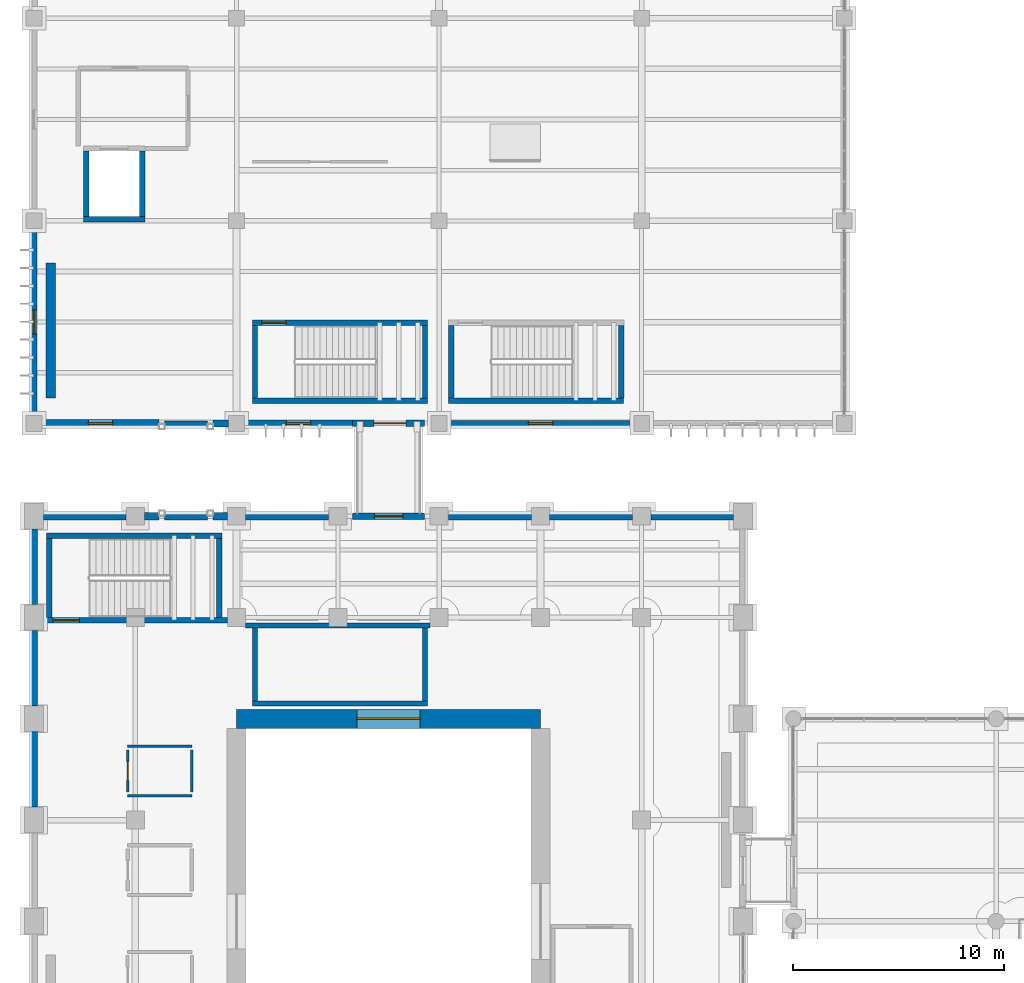
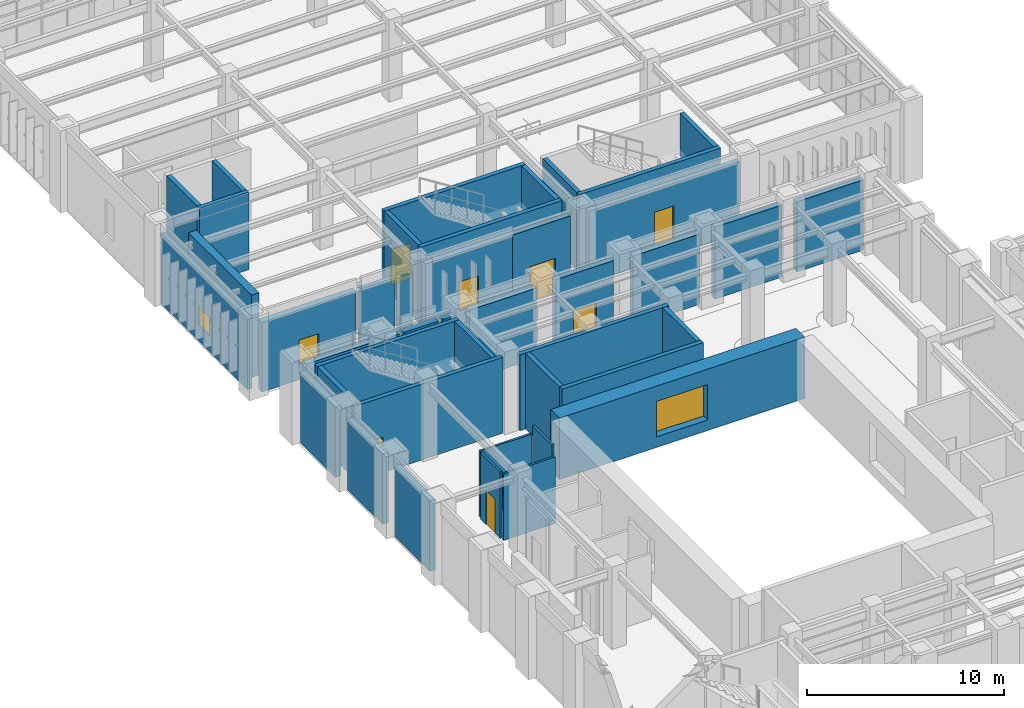
# One storey, part 144 of 174: 43 walls, 5 doors, 5 windows, 10 openings.
"""IFC4 building model written with IfcOpenShell, lengths in metres."""

from ifc_helpers import new_model, si_unit, direction, frame, frame_2d, origin, place, context, subcontext, project, spatial, rectangle, extrude, material, layer, layer_set, type_object, element, fill, save


model = new_model("IFC4")

# Units and contexts
model_context = context("Model", 3, precision=1e-05, world=origin(), true_north=direction((0.0, 1.0)))
body_context = subcontext(model_context, "Body", "Model", "MODEL_VIEW")
ifc_project = project(units=[si_unit("LENGTHUNIT", "METRE"), si_unit("AREAUNIT", "SQUARE_METRE"), si_unit("VOLUMEUNIT", "CUBIC_METRE"), si_unit("PLANEANGLEUNIT", "RADIAN"), si_unit("MASSUNIT", "GRAM", prefix="KILO")], contexts=[model_context])

# Site, building, storey
site_placement = place(None, origin())
site = spatial("IfcSite", under=ifc_project, at=site_placement, CompositionType="ELEMENT")
building_placement = place(site_placement, origin())
building = spatial("IfcBuilding", under=site, at=building_placement, Name="Mavantir Sound Aquarium", CompositionType="ELEMENT")
storey_placement = place(building_placement, frame((0.0, 0.0, 5.39990234375)))
storey = spatial("IfcBuildingStorey", under=building, at=storey_placement, Name="L01", CompositionType="ELEMENT", Elevation=5.39990234375)

# Wall, opening, door
ifc_material_1 = material(Name="Coral-Buff Architectural Precast Concrete C40/50", Category="concrete")
ifc_layer_1 = layer(ifc_material_1, 0.31005859375, Name="Coral-Buff Architectural Precast Concrete C40/50")
ifc_layer_set_1 = layer_set([ifc_layer_1], Name="Coral-Buff Architectural Precast Concrete C40/50")
wall_type_1 = type_object("IfcWallType", Name="EW-CORAL-310", PredefinedType="SOLIDWALL", material=ifc_layer_set_1)
wall_1_placement = place(storey_placement, frame((18.5, 79.199951171875, 0.0), z_axis=(0.0, 0.0, 1.0), x_axis=(-1.0, 0.0, 0.0)))
wall_1 = element("IfcWall", 1, at=wall_1_placement, inside=storey, type_object=wall_type_1, Name="L01 bridge portal wall 5", PredefinedType="SOLIDWALL", context=body_context, shape_type="SweptSolid", body=[
    extrude(rectangle(XDim=3.39990234375, YDim=0.31005859375, at=frame_2d((1.699951171875, 0.0))), origin(), (0.0, 0.0, 1.0), 4.463134765625),
])
opening_1_placement = place(wall_1_placement, frame((2.3701171875, 0.0, 0.0), z_axis=(0.0, 0.0, 1.0), x_axis=(-1.0, 0.0, 0.0)))
opening_1 = element("IfcOpeningElement", 2, at=opening_1_placement, cuts=wall_1, Name="Opening ETD-02", PredefinedType="OPENING", context=body_context, shape_type="SweptSolid", body=[
    extrude(rectangle(XDim=1.35009765625, YDim=2.199951171875, at=frame_2d((0.675048828125, 1.10009765625))), frame((0.0, 0.1650390625, 0.0), z_axis=(0.0, -1.0, 0.0), x_axis=(1.0, 0.0, 0.0)), (0.0, 0.0, 1.0), 0.330078125),
])
ifc_material_2 = material(Name="Marine-Grade Anodised Aluminium and Laminated Glass", Category="aluminium")
door_type_1 = type_object("IfcDoorType", Name="DR-TER-135", OperationType="NOTDEFINED", PredefinedType="DOOR", material=ifc_material_2)
door_1_placement = place(opening_1_placement, origin())
door_1 = element("IfcDoor", 3, at=door_1_placement, inside=storey, type_object=door_type_1, Name="L01 bridge access door 5", OperationType="SINGLE_SWING_RIGHT", OverallHeight=2.199951171875, OverallWidth=1.35009765625, PredefinedType="DOOR", context=body_context, shape_type="SweptSolid", body=[
    extrude(rectangle(XDim=1.35009765625, YDim=2.199951171875, at=frame_2d((0.675048828125, 1.10009765625))), frame((0.0, 0.02490234375, 0.0), z_axis=(0.0, -1.0, 0.0), x_axis=(1.0, 0.0, 0.0)), (0.0, 0.0, 1.0), 0.050048828125),
])
fill(opening_1, door_1)

wall_2_placement = place(storey_placement, frame((15.10009765625, 83.60009765625, 0.0), z_axis=(0.0, 0.0, 1.0), x_axis=(1.0, 0.0, 0.0)))
wall_2 = element("IfcWall", 4, at=wall_2_placement, inside=storey, type_object=wall_type_1, Name="L01 bridge portal wall 6", PredefinedType="SOLIDWALL", context=body_context, shape_type="SweptSolid", body=[
    extrude(rectangle(XDim=3.39990234375, YDim=0.31005859375, at=frame_2d((1.699951171875, 0.0))), origin(), (0.0, 0.0, 1.0), 4.56298828125),
])
opening_2_placement = place(wall_2_placement, frame((2.52001953125, 0.0, 0.0), z_axis=(0.0, 0.0, 1.0), x_axis=(-1.0, 0.0, 0.0)))
opening_2 = element("IfcOpeningElement", 5, at=opening_2_placement, cuts=wall_2, Name="Opening ETD-01", PredefinedType="OPENING", context=body_context, shape_type="SweptSolid", body=[
    extrude(rectangle(XDim=1.5, YDim=2.25, at=frame_2d((0.75, 1.125))), frame((0.0, 0.1650390625, 0.0), z_axis=(0.0, -1.0, 0.0), x_axis=(1.0, 0.0, 0.0)), (0.0, 0.0, 1.0), 0.330078125),
])
door_type_2 = type_object("IfcDoorType", Name="DR-TER-150", OperationType="NOTDEFINED", PredefinedType="DOOR", material=ifc_material_2)
door_2_placement = place(opening_2_placement, origin())
door_2 = element("IfcDoor", 6, at=door_2_placement, inside=storey, type_object=door_type_2, Name="L01 bridge access door 6", OperationType="SINGLE_SWING_LEFT", OverallHeight=2.25, OverallWidth=1.5, PredefinedType="DOOR", context=body_context, shape_type="SweptSolid", body=[
    extrude(rectangle(XDim=1.5, YDim=2.25, at=frame_2d((0.75, 1.125))), frame((0.0, 0.02490234375, 0.0), z_axis=(0.0, -1.0, 0.0), x_axis=(1.0, 0.0, 0.0)), (0.0, 0.0, 1.0), 0.050048828125),
])
fill(opening_2, door_2)

# Wall, opening, window
wall_3_placement = place(storey_placement, frame((9.98291015625, 83.60009765625, 0.0), z_axis=(0.0, 0.0, 1.0), x_axis=(1.0, 0.0, 0.0)))
wall_3 = element("IfcWall", 7, at=wall_3_placement, inside=storey, type_object=wall_type_1, Name="L01 exterior facade wall EW-02 176", PredefinedType="SOLIDWALL", context=body_context, shape_type="SweptSolid", body=[
    extrude(rectangle(XDim=5.112060546875, YDim=0.31005859375, at=frame_2d((2.55615234375, 0.0))), origin(), (0.0, 0.0, 1.0), 4.56298828125),
])
opening_3_placement = place(wall_3_placement, frame((1.98095703125, 0.0, 0.949951171875)))
opening_3 = element("IfcOpeningElement", 8, at=opening_3_placement, cuts=wall_3, Name="Opening W-07", PredefinedType="OPENING", context=body_context, shape_type="SweptSolid", body=[
    extrude(rectangle(XDim=1.14990234375, YDim=1.800048828125, at=frame_2d((0.574951171875, 0.89990234375))), frame((0.0, 0.1650390625, 0.0), z_axis=(0.0, -1.0, 0.0), x_axis=(1.0, 0.0, 0.0)), (0.0, 0.0, 1.0), 0.330078125),
])
ifc_material_3 = material(Name="Thermally Broken Aluminium and Low-E Glass", Category="aluminium")
window_type_1 = type_object("IfcWindowType", Name="WIN-EXT-07", PartitioningType="SINGLE_PANEL", PredefinedType="WINDOW", material=ifc_material_3)
window_1_placement = place(opening_3_placement, origin())
window_1 = element("IfcWindow", 9, at=window_1_placement, inside=storey, type_object=window_type_1, Name="L01 facade window W-07 55", OverallHeight=1.800048828125, OverallWidth=1.14990234375, PartitioningType="SINGLE_PANEL", PredefinedType="WINDOW", context=body_context, shape_type="SweptSolid", body=[
    extrude(rectangle(XDim=1.14990234375, YDim=1.800048828125, at=frame_2d((0.574951171875, 0.89990234375))), frame((0.0, 0.030029296875, 0.0), z_axis=(0.0, -1.0, 0.0), x_axis=(1.0, 0.0, 0.0)), (0.0, 0.0, 1.0), 0.06005859375),
])
fill(opening_3, window_1)

# Walls
ifc_layer_2 = layer(ifc_material_1, 0.340087890625, Name="Coral-Buff Architectural Precast Concrete C40/50")
ifc_layer_set_2 = layer_set([ifc_layer_2], Name="Coral-Buff Architectural Precast Concrete C40/50")
wall_type_2 = type_object("IfcWallType", Name="EW-CORAL-340", PredefinedType="SOLIDWALL", material=ifc_layer_set_2)
wall_4_placement = place(storey_placement, frame((33.14208984375, 79.199951171875, 0.0), z_axis=(0.0, 0.0, 1.0), x_axis=(-1.0, 0.0, 0.0)))
element("IfcWall", 10, at=wall_4_placement, inside=storey, type_object=wall_type_2, Name="L01 exterior facade wall EW-01 144", PredefinedType="SOLIDWALL", context=body_context, shape_type="SweptSolid", body=[
    extrude(rectangle(XDim=3.9091796875, YDim=0.340087890625, at=frame_2d((1.95458984375, 0.0))), origin(), (0.0, 0.0, 1.0), 4.358154296875),
])
wall_5_placement = place(storey_placement, frame((28.366943359375, 79.199951171875, 0.0), z_axis=(0.0, 0.0, 1.0), x_axis=(-1.0, 0.0, 0.0)))
element("IfcWall", 11, at=wall_5_placement, inside=storey, type_object=wall_type_2, Name="L01 exterior facade wall EW-01 145", PredefinedType="SOLIDWALL", context=body_context, shape_type="SweptSolid", body=[
    extrude(rectangle(XDim=3.933837890625, YDim=0.340087890625, at=frame_2d((1.966796875, 0.0))), origin(), (0.0, 0.0, 1.0), 4.463134765625),
])
wall_6_placement = place(storey_placement, frame((23.56689453125, 79.199951171875, 0.0), z_axis=(0.0, 0.0, 1.0), x_axis=(-1.0, 0.0, 0.0)))
element("IfcWall", 12, at=wall_6_placement, inside=storey, type_object=wall_type_2, Name="L01 exterior facade wall EW-01 146", PredefinedType="SOLIDWALL", context=body_context, shape_type="SweptSolid", body=[
    extrude(rectangle(XDim=3.933837890625, YDim=0.340087890625, at=frame_2d((1.966796875, 0.0))), origin(), (0.0, 0.0, 1.0), 4.358154296875),
])
wall_7_placement = place(storey_placement, frame((13.967041015625, 79.199951171875, 0.0), z_axis=(0.0, 0.0, 1.0), x_axis=(-1.0, 0.0, 0.0)))
element("IfcWall", 13, at=wall_7_placement, inside=storey, type_object=wall_type_2, Name="L01 exterior facade wall EW-01 147", PredefinedType="SOLIDWALL", context=body_context, shape_type="SweptSolid", body=[
    extrude(rectangle(XDim=3.93408203125, YDim=0.340087890625, at=frame_2d((1.967041015625, 0.0))), origin(), (0.0, 0.0, 1.0), 4.358154296875),
])
wall_8_placement = place(storey_placement, frame((9.1669921875, 79.199951171875, 0.0), z_axis=(0.0, 0.0, 1.0), x_axis=(-1.0, 0.0, 0.0)))
element("IfcWall", 14, at=wall_8_placement, inside=storey, type_object=wall_type_2, Name="L01 exterior facade wall EW-01 148", PredefinedType="SOLIDWALL", context=body_context, shape_type="SweptSolid", body=[
    extrude(rectangle(XDim=0.68408203125, YDim=0.340087890625, at=frame_2d((0.342041015625, 0.0))), origin(), (0.0, 0.0, 1.0), 4.321044921875),
])
wall_9_placement = place(storey_placement, frame((8.217041015625, 79.199951171875, 0.0), z_axis=(0.0, 0.0, 1.0), x_axis=(-1.0, 0.0, 0.0)))
element("IfcWall", 15, at=wall_9_placement, inside=storey, type_object=wall_type_2, Name="L01 exterior facade wall EW-01 149", PredefinedType="SOLIDWALL", context=body_context, shape_type="SweptSolid", body=[
    extrude(rectangle(XDim=2.033935546875, YDim=0.340087890625, at=frame_2d((1.01708984375, 0.0))), origin(), (0.0, 0.0, 1.0), 4.321044921875),
])
wall_10_placement = place(storey_placement, frame((5.9169921875, 79.199951171875, 0.0), z_axis=(0.0, 0.0, 1.0), x_axis=(-1.0, 0.0, 0.0)))
element("IfcWall", 16, at=wall_10_placement, inside=storey, type_object=wall_type_2, Name="L01 exterior facade wall EW-01 150", PredefinedType="SOLIDWALL", context=body_context, shape_type="SweptSolid", body=[
    extrude(rectangle(XDim=0.68408203125, YDim=0.340087890625, at=frame_2d((0.342041015625, 0.0))), origin(), (0.0, 0.0, 1.0), 4.321044921875),
])
wall_11_placement = place(storey_placement, frame((4.366943359375, 79.199951171875, 0.0), z_axis=(0.0, 0.0, 1.0), x_axis=(-1.0, 0.0, 0.0)))
element("IfcWall", 17, at=wall_11_placement, inside=storey, type_object=wall_type_2, Name="L01 exterior facade wall EW-01 151", PredefinedType="SOLIDWALL", context=body_context, shape_type="SweptSolid", body=[
    extrude(rectangle(XDim=3.908935546875, YDim=0.340087890625, at=frame_2d((1.95458984375, 0.0))), origin(), (0.0, 0.0, 1.0), 4.358154296875),
])
for number, where, z_axis, x_axis, name in (
    (18, (0.0, 78.592041015625, 0.0), (0.0, 0.0, 1.0), (0.0, -1.0, 0.0), "L01 exterior facade wall EW-01 152"),
    (19, (0.0, 73.7919921875, 0.0), (0.0, 0.0, 1.0), (0.0, -1.0, 0.0), "L01 exterior facade wall EW-01 153"),
    (20, (0.0, 68.991943359375, 0.0), (0.0, 0.0, 1.0), (0.0, -1.0, 0.0), "L01 exterior facade wall EW-01 154"),
):
    element("IfcWall", number, at=place(storey_placement, frame(where, z_axis=z_axis, x_axis=x_axis)), inside=storey, type_object=wall_type_2, Name=name, PredefinedType="SOLIDWALL", context=body_context, shape_type="SweptSolid", body=[
        extrude(rectangle(XDim=3.583984375, YDim=0.340087890625, at=frame_2d((1.7919921875, 0.0))), origin(), (0.0, 0.0, 1.0), 4.358154296875),
    ])
wall_12_placement = place(storey_placement, frame((8.48291015625, 83.60009765625, 0.0), z_axis=(0.0, 0.0, 1.0), x_axis=(1.0, 0.0, 0.0)))
element("IfcWall", 21, at=wall_12_placement, inside=storey, type_object=wall_type_2, Name="L01 exterior facade wall EW-01 175", PredefinedType="SOLIDWALL", context=body_context, shape_type="SweptSolid", body=[
    extrude(rectangle(XDim=0.734130859375, YDim=0.340087890625, at=frame_2d((0.3671875, 0.0))), origin(), (0.0, 0.0, 1.0), 4.321044921875),
])
ifc_material_4 = material(Name="Architectural Precast Concrete C40/50", Category="concrete")
ifc_layer_3 = layer(ifc_material_4, 0.239990234375, Name="Architectural Precast Concrete C40/50")
ifc_layer_set_3 = layer_set([ifc_layer_3], Name="Architectural Precast Concrete C40/50")
wall_type_3 = type_object("IfcWallType", Name="EW-PRE-240", PredefinedType="SOLIDWALL", material=ifc_layer_set_3)
wall_13_placement = place(storey_placement, frame((6.18310546875, 83.60009765625, 0.0), z_axis=(0.0, 0.0, 1.0), x_axis=(1.0, 0.0, 0.0)))
element("IfcWall", 22, at=wall_13_placement, inside=storey, type_object=wall_type_3, Name="L01 exterior facade wall EW-06 174", PredefinedType="SOLIDWALL", context=body_context, shape_type="SweptSolid", body=[
    extrude(rectangle(XDim=2.033935546875, YDim=0.239990234375, at=frame_2d((1.01708984375, 0.0))), origin(), (0.0, 0.0, 1.0), 4.321044921875),
])

# Wall, opening, window
ifc_layer_4 = layer(ifc_material_1, 0.360107421875, Name="Coral-Buff Architectural Precast Concrete C40/50")
ifc_layer_set_4 = layer_set([ifc_layer_4], Name="Coral-Buff Architectural Precast Concrete C40/50")
wall_type_4 = type_object("IfcWallType", Name="EW-PRE-360", PredefinedType="SOLIDWALL", material=ifc_layer_set_4)
wall_14_placement = place(storey_placement, frame((0.383056640625, 83.60009765625, 0.0), z_axis=(0.0, 0.0, 1.0), x_axis=(1.0, 0.0, 0.0)))
wall_14 = element("IfcWall", 23, at=wall_14_placement, inside=storey, type_object=wall_type_4, Name="L01 exterior facade wall EW-05 173", PredefinedType="SOLIDWALL", context=body_context, shape_type="SweptSolid", body=[
    extrude(rectangle(XDim=5.533935546875, YDim=0.360107421875, at=frame_2d((2.76708984375, 0.0))), origin(), (0.0, 0.0, 1.0), 4.321044921875),
])
opening_4_placement = place(wall_14_placement, frame((2.19189453125, 0.0, 0.949951171875)))
opening_4 = element("IfcOpeningElement", 24, at=opening_4_placement, cuts=wall_14, Name="Opening W-06", PredefinedType="OPENING", context=body_context, shape_type="SweptSolid", body=[
    extrude(rectangle(XDim=1.14990234375, YDim=1.5, at=frame_2d((0.574951171875, 0.75))), frame((0.0, 0.18994140625, 0.0), z_axis=(0.0, -1.0, 0.0), x_axis=(1.0, 0.0, 0.0)), (0.0, 0.0, 1.0), 0.380126953125),
])
window_type_2 = type_object("IfcWindowType", Name="WIN-EXT-06", PartitioningType="SINGLE_PANEL", PredefinedType="WINDOW", material=ifc_material_3)
window_2_placement = place(opening_4_placement, origin())
window_2 = element("IfcWindow", 25, at=window_2_placement, inside=storey, type_object=window_type_2, Name="L01 facade window W-06 54", OverallHeight=1.5, OverallWidth=1.14990234375, PartitioningType="SINGLE_PANEL", PredefinedType="WINDOW", context=body_context, shape_type="SweptSolid", body=[
    extrude(rectangle(XDim=1.14990234375, YDim=1.5, at=frame_2d((0.574951171875, 0.75))), frame((0.0, 0.030029296875, 0.0), z_axis=(0.0, -1.0, 0.0), x_axis=(1.0, 0.0, 0.0)), (0.0, 0.0, 1.0), 0.06005859375),
])
fill(opening_4, window_2)

ifc_material_5 = material(Name="Cerulean Glazed Terracotta Rainscreen on Concrete C40/50", Category="masonry")
ifc_layer_5 = layer(ifc_material_5, 0.27001953125, Name="Cerulean Glazed Terracotta Rainscreen on Concrete C40/50")
ifc_layer_set_5 = layer_set([ifc_layer_5], Name="Cerulean Glazed Terracotta Rainscreen on Concrete C40/50")
wall_type_5 = type_object("IfcWallType", Name="EW-TERRA-270", PredefinedType="SOLIDWALL", material=ifc_layer_set_5)
wall_15_placement = place(storey_placement, frame((0.0, 92.81689453125, 0.0), z_axis=(0.0, 0.0, 1.0), x_axis=(0.0, -1.0, 0.0)))
wall_15 = element("IfcWall", 26, at=wall_15_placement, inside=storey, type_object=wall_type_5, Name="L01 exterior facade wall EW-04 172", PredefinedType="SOLIDWALL", context=body_context, shape_type="SweptSolid", body=[
    extrude(rectangle(XDim=8.833984375, YDim=0.27001953125, at=frame_2d((4.4169921875, 0.0))), origin(), (0.0, 0.0, 1.0), 4.34912109375),
])
opening_5_placement = place(wall_15_placement, frame((3.842041015625, 0.0, 0.949951171875)))
opening_5 = element("IfcOpeningElement", 27, at=opening_5_placement, cuts=wall_15, Name="Opening W-05", PredefinedType="OPENING", context=body_context, shape_type="SweptSolid", body=[
    extrude(rectangle(XDim=1.14990234375, YDim=1.199951171875, at=frame_2d((0.574951171875, 0.60009765625))), frame((0.0, 0.14501953125, 0.0), z_axis=(0.0, -1.0, 0.0), x_axis=(1.0, 0.0, 0.0)), (0.0, 0.0, 1.0), 0.2900390625),
])
window_type_3 = type_object("IfcWindowType", Name="WIN-EXT-05", PartitioningType="SINGLE_PANEL", PredefinedType="WINDOW", material=ifc_material_3)
window_3_placement = place(opening_5_placement, origin())
window_3 = element("IfcWindow", 28, at=window_3_placement, inside=storey, type_object=window_type_3, Name="L01 facade window W-05 53", OverallHeight=1.199951171875, OverallWidth=1.14990234375, PartitioningType="SINGLE_PANEL", PredefinedType="WINDOW", context=body_context, shape_type="SweptSolid", body=[
    extrude(rectangle(XDim=1.14990234375, YDim=1.199951171875, at=frame_2d((0.574951171875, 0.60009765625))), frame((0.0, 0.030029296875, 0.0), z_axis=(0.0, -1.0, 0.0), x_axis=(1.0, 0.0, 0.0)), (0.0, 0.0, 1.0), 0.06005859375),
])
fill(opening_5, window_3)

ifc_material_6 = material(Name="Turquoise Glazed Terracotta Rainscreen on Concrete C40/50", Category="masonry")
ifc_layer_6 = layer(ifc_material_6, 0.2900390625, Name="Turquoise Glazed Terracotta Rainscreen on Concrete C40/50")
ifc_layer_set_6 = layer_set([ifc_layer_6], Name="Turquoise Glazed Terracotta Rainscreen on Concrete C40/50")
wall_type_6 = type_object("IfcWallType", Name="EW-TERRA-290", PredefinedType="SOLIDWALL", material=ifc_layer_set_6)
wall_16_placement = place(storey_placement, frame((19.5830078125, 83.60009765625, 0.0), z_axis=(0.0, 0.0, 1.0), x_axis=(1.0, 0.0, 0.0)))
wall_16 = element("IfcWall", 29, at=wall_16_placement, inside=storey, type_object=wall_type_6, Name="L01 exterior facade wall EW-03 177", PredefinedType="SOLIDWALL", context=body_context, shape_type="SweptSolid", body=[
    extrude(rectangle(XDim=8.833984375, YDim=0.2900390625, at=frame_2d((4.4169921875, 0.0))), origin(), (0.0, 0.0, 1.0), 4.4580078125),
])
opening_6_placement = place(wall_16_placement, frame((3.842041015625, 0.0, 0.949951171875)))
opening_6 = element("IfcOpeningElement", 30, at=opening_6_placement, cuts=wall_16, Name="Opening W-08", PredefinedType="OPENING", context=body_context, shape_type="SweptSolid", body=[
    extrude(rectangle(XDim=1.14990234375, YDim=2.10009765625, at=frame_2d((0.574951171875, 1.050048828125))), frame((0.0, 0.155029296875, 0.0), z_axis=(0.0, -1.0, 0.0), x_axis=(1.0, 0.0, 0.0)), (0.0, 0.0, 1.0), 0.31005859375),
])
window_type_4 = type_object("IfcWindowType", Name="WIN-EXT-08", PartitioningType="SINGLE_PANEL", PredefinedType="WINDOW", material=ifc_material_3)
window_4_placement = place(opening_6_placement, origin())
window_4 = element("IfcWindow", 31, at=window_4_placement, inside=storey, type_object=window_type_4, Name="L01 facade window W-08 56", OverallHeight=2.10009765625, OverallWidth=1.14990234375, PartitioningType="SINGLE_PANEL", PredefinedType="WINDOW", context=body_context, shape_type="SweptSolid", body=[
    extrude(rectangle(XDim=1.14990234375, YDim=2.10009765625, at=frame_2d((0.574951171875, 1.050048828125))), frame((0.0, 0.030029296875, 0.0), z_axis=(0.0, -1.0, 0.0), x_axis=(1.0, 0.0, 0.0)), (0.0, 0.0, 1.0), 0.06005859375),
])
fill(opening_6, window_4)

# Walls
ifc_material_7 = material(Name="Lightweight Partition Framing", Category="gypsum")
ifc_layer_7 = layer(ifc_material_7, 0.1201171875, Name="Lightweight Partition Framing")
ifc_layer_set_7 = layer_set([ifc_layer_7], Name="Lightweight Partition Framing")
wall_type_7 = type_object("IfcWallType", Name="IW-PART-120", PredefinedType="PARTITIONING", material=ifc_layer_set_7)
for number, where, z_axis, x_axis, name in (
    (32, (4.43994140625, 68.300048828125, 0.0), (0.0, 0.0, 1.0), (1.0, 0.0, 0.0), "L01 L01 Accessible WC partition N"),
    (33, (4.43994140625, 65.949951171875, 0.0), (0.0, 0.0, 1.0), (1.0, 0.0, 0.0), "L01 L01 Accessible WC partition S"),
):
    element("IfcWall", number, at=place(storey_placement, frame(where, z_axis=z_axis, x_axis=x_axis)), inside=storey, type_object=wall_type_7, Name=name, PredefinedType="PARTITIONING", context=body_context, shape_type="SweptSolid", body=[
        extrude(rectangle(XDim=3.0400390625, YDim=0.1201171875, at=frame_2d((1.52001953125, 0.0))), origin(), (0.0, 0.0, 1.0), 4.1220703125),
    ])

# Wall, opening, door
wall_17_placement = place(storey_placement, frame((4.43994140625, 66.1298828125, 0.0), z_axis=(0.0, 0.0, 1.0), x_axis=(0.0, 1.0, 0.0)))
wall_17 = element("IfcWall", 34, at=wall_17_placement, inside=storey, type_object=wall_type_7, Name="L01 L01 Accessible WC partition W", PredefinedType="PARTITIONING", context=body_context, shape_type="SweptSolid", body=[
    extrude(rectangle(XDim=1.990234375, YDim=0.1201171875, at=frame_2d((0.9951171875, 0.0))), origin(), (0.0, 0.0, 1.0), 4.1220703125),
])
opening_7_placement = place(wall_17_placement, frame((0.534912109375, 0.0, 0.0)))
opening_7 = element("IfcOpeningElement", 35, at=opening_7_placement, cuts=wall_17, Name="Opening ID-01", PredefinedType="OPENING", context=body_context, shape_type="SweptSolid", body=[
    extrude(rectangle(XDim=0.919921875, YDim=2.1201171875, at=frame_2d((0.4599609375, 1.06005859375))), frame((0.0, 0.070068359375, 0.0), z_axis=(0.0, -1.0, 0.0), x_axis=(1.0, 0.0, 0.0)), (0.0, 0.0, 1.0), 0.14013671875),
])
ifc_material_8 = material(Name="Solid-Core Marine Hardwood and Vision-Panel Door", Category="wood")
door_type_3 = type_object("IfcDoorType", Name="DR-INT-01", OperationType="NOTDEFINED", PredefinedType="DOOR", material=ifc_material_8)
door_3_placement = place(opening_7_placement, origin())
door_3 = element("IfcDoor", 36, at=door_3_placement, inside=storey, type_object=door_type_3, Name="L01 Accessible WC entrance door", OperationType="SINGLE_SWING_RIGHT", OverallHeight=2.1201171875, OverallWidth=0.919921875, PredefinedType="DOOR", context=body_context, shape_type="SweptSolid", body=[
    extrude(rectangle(XDim=0.919921875, YDim=2.1201171875, at=frame_2d((0.4599609375, 1.06005859375))), frame((0.0, 0.02490234375, 0.0), z_axis=(0.0, -1.0, 0.0), x_axis=(1.0, 0.0, 0.0)), (0.0, 0.0, 1.0), 0.050048828125),
])
fill(opening_7, door_3)

# Wall
wall_18_placement = place(storey_placement, frame((7.47998046875, 66.1298828125, 0.0), z_axis=(0.0, 0.0, 1.0), x_axis=(0.0, 1.0, 0.0)))
element("IfcWall", 37, at=wall_18_placement, inside=storey, type_object=wall_type_7, Name="L01 L01 Accessible WC partition E", PredefinedType="PARTITIONING", context=body_context, shape_type="SweptSolid", body=[
    extrude(rectangle(XDim=1.990234375, YDim=0.1201171875, at=frame_2d((0.9951171875, 0.0))), origin(), (0.0, 0.0, 1.0), 4.739990234375),
])

# Wall, opening, door
ifc_material_9 = material(Name="Concrete C40/50", Category="concrete")
ifc_layer_8 = layer(ifc_material_9, 0.25, Name="Concrete C40/50")
ifc_layer_set_8 = layer_set([ifc_layer_8], Name="Concrete C40/50")
wall_type_8 = type_object("IfcWallType", Name="IW-SHAFT-250", PredefinedType="SHEAR", material=ifc_layer_set_8)
wall_19_placement = place(storey_placement, frame((0.449951171875, 74.27490234375, 0.0), z_axis=(0.0, 0.0, 1.0), x_axis=(1.0, 0.0, 0.0)))
wall_19 = element("IfcWall", 38, at=wall_19_placement, inside=storey, type_object=wall_type_8, Name="L01 stair ST2 shaft wall S", PredefinedType="SHEAR", context=body_context, shape_type="SweptSolid", body=[
    extrude(rectangle(XDim=8.72509765625, YDim=0.25, at=frame_2d((4.362548828125, 0.0))), origin(), (0.0, 0.0, 1.0), 4.7001953125),
])
opening_8_placement = place(wall_19_placement, frame((1.699951171875, 0.0, 0.0), z_axis=(0.0, 0.0, 1.0), x_axis=(-1.0, 0.0, 0.0)))
opening_8 = element("IfcOpeningElement", 39, at=opening_8_placement, cuts=wall_19, Name="Opening SD-01", PredefinedType="OPENING", context=body_context, shape_type="SweptSolid", body=[
    extrude(rectangle(XDim=1.25, YDim=2.199951171875, at=frame_2d((0.625, 1.10009765625))), frame((0.0, 0.135009765625, 0.0), z_axis=(0.0, -1.0, 0.0), x_axis=(1.0, 0.0, 0.0)), (0.0, 0.0, 1.0), 0.27001953125),
])
ifc_material_10 = material(Name="Fire-Rated Steel Acoustic Door Leaf", Category="steel")
door_type_4 = type_object("IfcDoorType", Name="DR-ST-125", OperationType="NOTDEFINED", PredefinedType="DOOR", material=ifc_material_10)
door_4_placement = place(opening_8_placement, origin())
door_4 = element("IfcDoor", 40, at=door_4_placement, inside=storey, type_object=door_type_4, Name="L01 protected exit stair ST2 door", OperationType="SINGLE_SWING_RIGHT", OverallHeight=2.199951171875, OverallWidth=1.25, PredefinedType="DOOR", context=body_context, shape_type="SweptSolid", body=[
    extrude(rectangle(XDim=1.25, YDim=2.199951171875, at=frame_2d((0.625, 1.10009765625))), frame((0.0, 0.02490234375, 0.0), z_axis=(0.0, -1.0, 0.0), x_axis=(1.0, 0.0, 0.0)), (0.0, 0.0, 1.0), 0.050048828125),
])
fill(opening_8, door_4)

# Walls
wall_20_placement = place(storey_placement, frame((8.89990234375, 78.27490234375, 0.0), z_axis=(0.0, 0.0, 1.0), x_axis=(-1.0, 0.0, 0.0)))
element("IfcWall", 41, at=wall_20_placement, inside=storey, type_object=wall_type_8, Name="L01 stair ST2 shaft wall N", PredefinedType="SHEAR", context=body_context, shape_type="SweptSolid", body=[
    extrude(rectangle(XDim=8.2998046875, YDim=0.25, at=frame_2d((4.14990234375, 0.0))), origin(), (0.0, 0.0, 1.0), 4.7001953125),
])
for number, where, z_axis, x_axis, name in (
    (42, (0.72509765625, 78.14990234375, 0.0), (0.0, 0.0, 1.0), (0.0, -1.0, 0.0), "L01 stair ST2 shaft wall W"),
    (43, (8.77490234375, 74.39990234375, 0.0), (0.0, 0.0, 1.0), (0.0, 1.0, 0.0), "L01 stair ST2 shaft wall E"),
):
    element("IfcWall", number, at=place(storey_placement, frame(where, z_axis=z_axis, x_axis=x_axis)), inside=storey, type_object=wall_type_8, Name=name, PredefinedType="SHEAR", context=body_context, shape_type="SweptSolid", body=[
        extrude(rectangle(XDim=3.75, YDim=0.25, at=frame_2d((1.875, 0.0))), origin(), (0.0, 0.0, 1.0), 4.7001953125),
    ])
wall_21_placement = place(storey_placement, frame((10.35009765625, 70.324951171875, 0.0), z_axis=(0.0, 0.0, 1.0), x_axis=(1.0, 0.0, 0.0)))
element("IfcWall", 44, at=wall_21_placement, inside=storey, type_object=wall_type_8, Name="L01 stair ST10 shaft wall S", PredefinedType="SHEAR", context=body_context, shape_type="SweptSolid", body=[
    extrude(rectangle(XDim=8.2998046875, YDim=0.25, at=frame_2d((4.14990234375, 0.0))), origin(), (0.0, 0.0, 1.0), 4.7001953125),
])
wall_22_placement = place(storey_placement, frame((18.77490234375, 74.02490234375, 0.0), z_axis=(0.0, 0.0, 1.0), x_axis=(-1.0, 0.0, 0.0)))
element("IfcWall", 45, at=wall_22_placement, inside=storey, type_object=wall_type_8, Name="L01 stair ST10 shaft wall N", PredefinedType="SHEAR", context=body_context, shape_type="SweptSolid", body=[
    extrude(rectangle(XDim=8.75, YDim=0.25, at=frame_2d((4.375, 0.0))), origin(), (0.0, 0.0, 1.0), 4.7001953125),
])
for number, where, z_axis, x_axis, name in (
    (46, (10.47509765625, 73.89990234375, 0.0), (0.0, 0.0, 1.0), (0.0, -1.0, 0.0), "L01 stair ST10 shaft wall W"),
    (47, (18.52490234375, 70.449951171875, 0.0), (0.0, 0.0, 1.0), (0.0, 1.0, 0.0), "L01 stair ST10 shaft wall E"),
):
    element("IfcWall", number, at=place(storey_placement, frame(where, z_axis=z_axis, x_axis=x_axis)), inside=storey, type_object=wall_type_8, Name=name, PredefinedType="SHEAR", context=body_context, shape_type="SweptSolid", body=[
        extrude(rectangle(XDim=3.449951171875, YDim=0.25, at=frame_2d((1.72509765625, 0.0))), origin(), (0.0, 0.0, 1.0), 4.7001953125),
    ])
wall_23_placement = place(storey_placement, frame((10.35009765625, 84.675048828125, 0.0), z_axis=(0.0, 0.0, 1.0), x_axis=(1.0, 0.0, 0.0)))
element("IfcWall", 48, at=wall_23_placement, inside=storey, type_object=wall_type_8, Name="L01 stair ST5 shaft wall S", PredefinedType="SHEAR", context=body_context, shape_type="SweptSolid", body=[
    extrude(rectangle(XDim=8.2998046875, YDim=0.25, at=frame_2d((4.14990234375, 0.0))), origin(), (0.0, 0.0, 1.0), 4.800048828125),
])

# Wall, opening, door
wall_24_placement = place(storey_placement, frame((18.64990234375, 88.375, 0.0), z_axis=(0.0, 0.0, 1.0), x_axis=(-1.0, 0.0, 0.0)))
wall_24 = element("IfcWall", 49, at=wall_24_placement, inside=storey, type_object=wall_type_8, Name="L01 stair ST5 shaft wall N", PredefinedType="SHEAR", context=body_context, shape_type="SweptSolid", body=[
    extrude(rectangle(XDim=8.2998046875, YDim=0.25, at=frame_2d((4.14990234375, 0.0))), origin(), (0.0, 0.0, 1.0), 4.800048828125),
])
opening_9_placement = place(wall_24_placement, frame((7.849853515625, 0.0, 0.0), z_axis=(0.0, 0.0, 1.0), x_axis=(-1.0, 0.0, 0.0)))
opening_9 = element("IfcOpeningElement", 50, at=opening_9_placement, cuts=wall_24, Name="Opening SD-02", PredefinedType="OPENING", context=body_context, shape_type="SweptSolid", body=[
    extrude(rectangle(XDim=1.14990234375, YDim=2.199951171875, at=frame_2d((0.574951171875, 1.10009765625))), frame((0.0, 0.135009765625, 0.0), z_axis=(0.0, -1.0, 0.0), x_axis=(1.0, 0.0, 0.0)), (0.0, 0.0, 1.0), 0.27001953125),
])
door_type_5 = type_object("IfcDoorType", Name="DR-ST-115", OperationType="NOTDEFINED", PredefinedType="DOOR", material=ifc_material_10)
door_5_placement = place(opening_9_placement, origin())
door_5 = element("IfcDoor", 51, at=door_5_placement, inside=storey, type_object=door_type_5, Name="L01 protected exit stair ST5 door", OperationType="SINGLE_SWING_RIGHT", OverallHeight=2.199951171875, OverallWidth=1.14990234375, PredefinedType="DOOR", context=body_context, shape_type="SweptSolid", body=[
    extrude(rectangle(XDim=1.14990234375, YDim=2.199951171875, at=frame_2d((0.574951171875, 1.10009765625))), frame((0.0, 0.02490234375, 0.0), z_axis=(0.0, -1.0, 0.0), x_axis=(1.0, 0.0, 0.0)), (0.0, 0.0, 1.0), 0.050048828125),
])
fill(opening_9, door_5)

# Walls
for number, where, z_axis, x_axis, name in (
    (52, (10.47509765625, 88.25, 0.0), (0.0, 0.0, 1.0), (0.0, -1.0, 0.0), "L01 stair ST5 shaft wall W"),
    (53, (18.52490234375, 84.800048828125, 0.0), (0.0, 0.0, 1.0), (0.0, 1.0, 0.0), "L01 stair ST5 shaft wall E"),
):
    element("IfcWall", number, at=place(storey_placement, frame(where, z_axis=z_axis, x_axis=x_axis)), inside=storey, type_object=wall_type_8, Name=name, PredefinedType="SHEAR", context=body_context, shape_type="SweptSolid", body=[
        extrude(rectangle(XDim=3.449951171875, YDim=0.25, at=frame_2d((1.72509765625, 0.0))), origin(), (0.0, 0.0, 1.0), 4.800048828125),
    ])
wall_25_placement = place(storey_placement, frame((19.64990234375, 84.675048828125, 0.0), z_axis=(0.0, 0.0, 1.0), x_axis=(1.0, 0.0, 0.0)))
element("IfcWall", 54, at=wall_25_placement, inside=storey, type_object=wall_type_8, Name="L01 stair ST7 shaft wall S", PredefinedType="SHEAR", context=body_context, shape_type="SweptSolid", body=[
    extrude(rectangle(XDim=8.300048828125, YDim=0.25, at=frame_2d((4.14990234375, 0.0))), origin(), (0.0, 0.0, 1.0), 4.800048828125),
])
for number, where, z_axis, x_axis, name in (
    (55, (19.77490234375, 88.25, 0.0), (0.0, 0.0, 1.0), (0.0, -1.0, 0.0), "L01 stair ST7 shaft wall W"),
    (56, (27.824951171875, 84.800048828125, 0.0), (0.0, 0.0, 1.0), (0.0, 1.0, 0.0), "L01 stair ST7 shaft wall E"),
):
    element("IfcWall", number, at=place(storey_placement, frame(where, z_axis=z_axis, x_axis=x_axis)), inside=storey, type_object=wall_type_8, Name=name, PredefinedType="SHEAR", context=body_context, shape_type="SweptSolid", body=[
        extrude(rectangle(XDim=3.449951171875, YDim=0.25, at=frame_2d((1.72509765625, 0.0))), origin(), (0.0, 0.0, 1.0), 4.800048828125),
    ])
wall_26_placement = place(storey_placement, frame((2.35009765625, 93.27490234375, 0.0), z_axis=(0.0, 0.0, 1.0), x_axis=(1.0, 0.0, 0.0)))
element("IfcWall", 57, at=wall_26_placement, inside=storey, type_object=wall_type_8, Name="L01 lift LC2 shaft wall S", PredefinedType="SHEAR", context=body_context, shape_type="SweptSolid", body=[
    extrude(rectangle(XDim=2.89990234375, YDim=0.25, at=frame_2d((1.449951171875, 0.0))), origin(), (0.0, 0.0, 1.0), 4.800048828125),
])
for number, where, z_axis, x_axis, name in (
    (58, (2.47509765625, 93.39990234375, 0.0), (0.0, 0.0, 1.0), (0.0, 1.0, 0.0), "L01 lift LC2 shaft wall W"),
    (59, (5.125, 93.39990234375, 0.0), (0.0, 0.0, 1.0), (0.0, 1.0, 0.0), "L01 lift LC2 shaft wall E"),
):
    element("IfcWall", number, at=place(storey_placement, frame(where, z_axis=z_axis, x_axis=x_axis)), inside=storey, type_object=wall_type_8, Name=name, PredefinedType="SHEAR", context=body_context, shape_type="SweptSolid", body=[
        extrude(rectangle(XDim=3.10009765625, YDim=0.25, at=frame_2d((1.550048828125, 0.0))), origin(), (0.0, 0.0, 1.0), 4.800048828125),
    ])
ifc_layer_9 = layer(ifc_material_9, 0.449951171875, Name="Concrete C40/50")
ifc_layer_set_9 = layer_set([ifc_layer_9], Name="Concrete C40/50")
wall_type_9 = type_object("IfcWallType", Name="SW-SHR-450", PredefinedType="SHEAR", material=ifc_layer_set_9)
wall_27_placement = place(storey_placement, frame((0.800048828125, 84.800048828125, 0.0), z_axis=(0.0, 0.0, 1.0), x_axis=(0.0, 1.0, 0.0)))
element("IfcWall", 60, at=wall_27_placement, inside=storey, type_object=wall_type_9, Name="L01 special RC shear wall 33 (V5)", PredefinedType="SHEAR", context=body_context, shape_type="SweptSolid", body=[
    extrude(rectangle(XDim=6.39990234375, YDim=0.449951171875, at=frame_2d((3.199951171875, 0.0))), origin(), (0.0, 0.0, 1.0), 5.10009765625),
])

# Wall, opening, window
ifc_material_11 = material(Name="Concrete C45/55", Category="concrete")
ifc_layer_10 = layer(ifc_material_11, 0.89990234375, Name="Concrete C45/55")
ifc_layer_set_10 = layer_set([ifc_layer_10], Name="Concrete C45/55")
wall_type_10 = type_object("IfcWallType", Name="SW-TANK-900", PredefinedType="SOLIDWALL", material=ifc_layer_set_10)
wall_28_placement = place(storey_placement, frame((24.0, 69.60009765625, 0.0), z_axis=(0.0, 0.0, 1.0), x_axis=(-1.0, 0.0, 0.0)))
wall_28 = element("IfcWall", 61, at=wall_28_placement, inside=storey, type_object=wall_type_10, Name="L01 Pelagic Ocean Tank wall N", PredefinedType="SOLIDWALL", context=body_context, shape_type="SweptSolid", body=[
    extrude(rectangle(XDim=14.39990234375, YDim=0.89990234375, at=frame_2d((7.199951171875, 0.0))), origin(), (0.0, 0.0, 1.0), 3.800048828125),
])
opening_10_placement = place(wall_28_placement, frame((5.699951171875, 0.0, 0.64990234375)))
opening_10 = element("IfcOpeningElement", 62, at=opening_10_placement, cuts=wall_28, Name="Opening VW-07", PredefinedType="OPENING", context=body_context, shape_type="SweptSolid", body=[
    extrude(rectangle(XDim=3.0, YDim=2.199951171875, at=frame_2d((1.5, 1.10009765625))), frame((0.0, 0.4599609375, 0.0), z_axis=(0.0, -1.0, 0.0), x_axis=(1.0, 0.0, 0.0)), (0.0, 0.0, 1.0), 0.919921875),
])
ifc_material_12 = material(Name="Cast Acrylic PMMA Glazing", Category="glass")
window_type_5 = type_object("IfcWindowType", Name="WIN-VP-07", PartitioningType="SINGLE_PANEL", PredefinedType="WINDOW", material=ifc_material_12)
window_5_placement = place(opening_10_placement, origin())
window_5 = element("IfcWindow", 63, at=window_5_placement, inside=storey, type_object=window_type_5, Name="L01 Pelagic Ocean Tank cast-acrylic viewport 7", OverallHeight=2.199951171875, OverallWidth=3.0, PartitioningType="SINGLE_PANEL", PredefinedType="WINDOW", context=body_context, shape_type="SweptSolid", body=[
    extrude(rectangle(XDim=3.0, YDim=2.199951171875, at=frame_2d((1.5, 1.10009765625))), frame((0.0, 0.030029296875, 0.0), z_axis=(0.0, -1.0, 0.0), x_axis=(1.0, 0.0, 0.0)), (0.0, 0.0, 1.0), 0.06005859375),
])
fill(opening_10, window_5)

save(model, "model.ifc")
